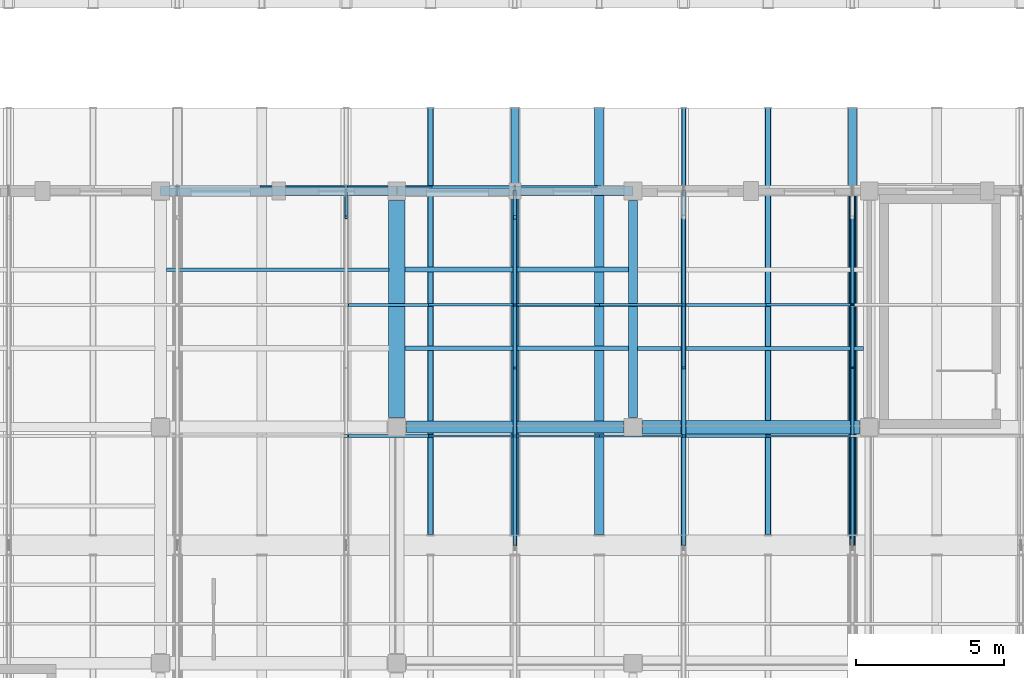
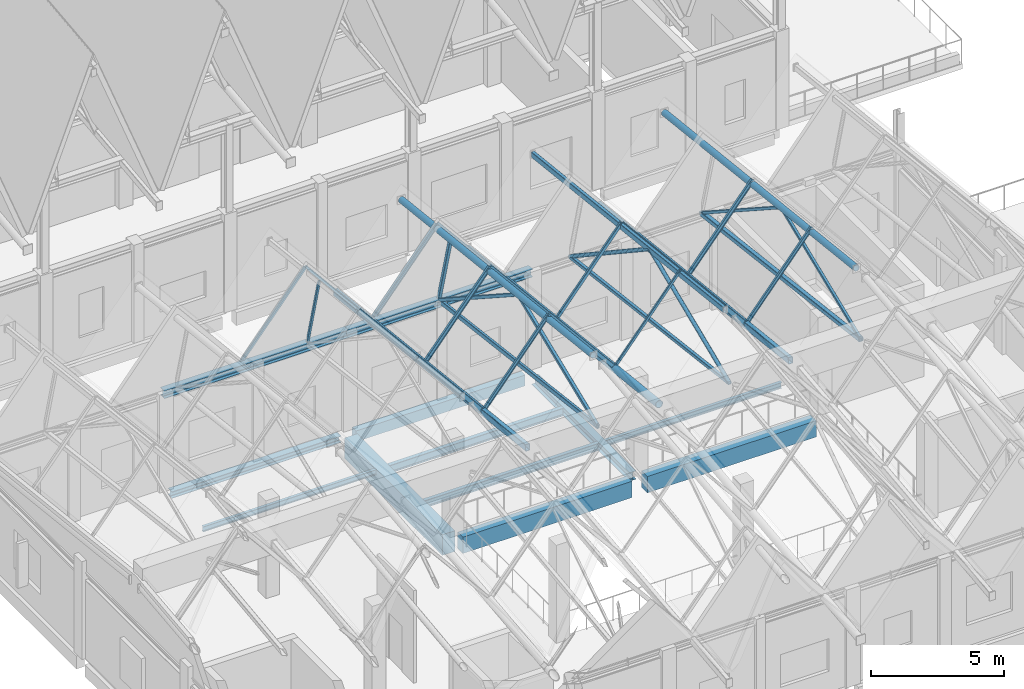
# One storey, part 12 of 77: 27 members, 18 beams.
"""IFC4 building model written with IfcOpenShell, lengths in metres."""

from ifc_helpers import new_model, si_unit, direction, frame, origin, origin_2d, place, context, subcontext, project, spatial, rectangle, hollow_rectangle, hollow_circle, i_section, extrude, material, material_profile, profile_set, type_object, element, save


model = new_model("IFC4")

# Units and contexts
model_context = context("Model", 3, precision=1e-05, world=origin(), true_north=direction((0.0, 1.0)))
body_context = subcontext(model_context, "Body", "Model", "MODEL_VIEW")
ifc_project = project(units=[si_unit("LENGTHUNIT", "METRE"), si_unit("AREAUNIT", "SQUARE_METRE"), si_unit("VOLUMEUNIT", "CUBIC_METRE"), si_unit("PLANEANGLEUNIT", "RADIAN"), si_unit("MASSUNIT", "GRAM", prefix="KILO")], contexts=[model_context])

# Site, building, storey
site_placement = place(None, origin())
site = spatial("IfcSite", under=ifc_project, at=site_placement, CompositionType="ELEMENT")
building_placement = place(site_placement, origin())
building = spatial("IfcBuilding", under=site, at=building_placement, Name="Luwemba Playhouse", CompositionType="ELEMENT")
storey_placement = place(building_placement, frame((0.0, 0.0, 9.300048828125)))
storey = spatial("IfcBuildingStorey", under=building, at=storey_placement, Name="L02", CompositionType="ELEMENT", Elevation=9.300048828125)

# Beams
ifc_material_1 = material(Name="Concrete C40/50", Category="concrete")
ifc_material_profile_1 = material_profile(ifc_material_1, rectangle(XDim=0.39990234375, YDim=0.75, at=origin_2d()))
ifc_profile_set_1 = profile_set([ifc_material_profile_1], Name="Concrete C40/50")
beam_type_1 = type_object("IfcBeamType", Name="BM-RB03", PredefinedType="BEAM", material=ifc_profile_set_1)
beam_1_placement = place(storey_placement, frame((20.324951171875, 19.0, -0.625), z_axis=(1.0, 0.0, 0.0), x_axis=(0.0, 1.0, 0.0)))
element("IfcBeam", 1, at=beam_1_placement, inside=storey, type_object=beam_type_1, Name="L02 grid girder 0771", PredefinedType="BEAM", context=body_context, shape_type="SweptSolid", body=[
    extrude(rectangle(XDim=0.39990234375, YDim=0.75, at=origin_2d()), origin(), (0.0, 0.0, 1.0), 7.35009765625),
])
ifc_material_profile_2 = material_profile(ifc_material_1, rectangle(XDim=0.449951171875, YDim=0.75, at=origin_2d()))
ifc_profile_set_2 = profile_set([ifc_material_profile_2], Name="Concrete C40/50")
beam_type_2 = type_object("IfcBeamType", Name="BM-RB04", PredefinedType="BEAM", material=ifc_profile_set_2)
beam_2_placement = place(storey_placement, frame((28.324951171875, 19.0, -0.625), z_axis=(1.0, 0.0, 0.0), x_axis=(0.0, 1.0, 0.0)))
element("IfcBeam", 2, at=beam_2_placement, inside=storey, type_object=beam_type_2, Name="L02 grid girder 0772", PredefinedType="BEAM", context=body_context, shape_type="SweptSolid", body=[
    extrude(rectangle(XDim=0.449951171875, YDim=0.75, at=origin_2d()), origin(), (0.0, 0.0, 1.0), 7.35009765625),
])
ifc_material_profile_3 = material_profile(ifc_material_1, rectangle(XDim=0.550048828125, YDim=0.949951171875, at=origin_2d()))
ifc_profile_set_3 = profile_set([ifc_material_profile_3], Name="Concrete C40/50")
beam_type_3 = type_object("IfcBeamType", Name="BM-RB08", PredefinedType="BEAM", material=ifc_profile_set_3)
beam_3_placement = place(storey_placement, frame((20.0, 19.324951171875, -0.72509765625), z_axis=(0.0, 1.0, 0.0), x_axis=(-1.0, 0.0, 0.0)))
element("IfcBeam", 3, at=beam_3_placement, inside=storey, type_object=beam_type_3, Name="L02 transverse girder 0787", PredefinedType="BEAM", context=body_context, shape_type="SweptSolid", body=[
    extrude(rectangle(XDim=0.550048828125, YDim=0.949951171875, at=origin_2d()), origin(), (0.0, 0.0, 1.0), 7.35009765625),
])
ifc_material_2 = material(Name="Steel S355", Category="steel")
ifc_material_profile_4 = material_profile(ifc_material_2, hollow_rectangle(XDim=0.14990234375, YDim=0.25, WallThickness=0.010009765625, InnerFilletRadius=0.014892578125, OuterFilletRadius=0.02490234375, at=origin_2d()))
ifc_profile_set_4 = profile_set([ifc_material_profile_4], Name="Steel S355")
beam_type_4 = type_object("IfcBeamType", Name="BM-RTG1", PredefinedType="USERDEFINED", material=ifc_profile_set_4)
beam_4_placement = place(storey_placement, frame((29.71435546875, 15.35009765625, 9.011962890625), z_axis=(0.0, 0.993769566516, -0.111454244725), x_axis=(-1.0, 0.0, 0.0)))
element("IfcBeam", 4, at=beam_4_placement, inside=storey, type_object=beam_type_4, Name="ROOF TRUSS ridge girder 0280", ObjectType="ROOF TRUSS", PredefinedType="USERDEFINED", context=body_context, shape_type="SweptSolid", body=[
    extrude(hollow_rectangle(XDim=0.14990234375, YDim=0.25, WallThickness=0.010009765625, InnerFilletRadius=0.014892578125, OuterFilletRadius=0.02490234375, at=origin_2d()), origin(), (0.0, 0.0, 1.0), 14.54052734375),
])
ifc_material_profile_5 = material_profile(ifc_material_2, hollow_rectangle(XDim=0.199951171875, YDim=0.300048828125, WallThickness=0.012451171875, InnerFilletRadius=0.018798828125, OuterFilletRadius=0.03125, at=origin_2d()))
ifc_profile_set_5 = profile_set([ifc_material_profile_5], Name="Steel S355")
beam_type_5 = type_object("IfcBeamType", Name="BM-RTG2", PredefinedType="USERDEFINED", material=ifc_profile_set_5)
for number, where, z_axis, x_axis, name in (
    (5, (21.142822265625, 15.35009765625, 5.68212890625), (0.0, 0.993767706686, -0.111470826443), (-1.0, 0.0, 0.0), "ROOF TRUSS valley girder 0274"),
    (6, (32.5712890625, 15.35009765625, 5.68212890625), (0.0, 0.993767706686, -0.111470826443), (-1.0, 0.0, 0.0), "ROOF TRUSS valley girder 0282"),
):
    element("IfcBeam", number, at=place(storey_placement, frame(where, z_axis=z_axis, x_axis=x_axis)), inside=storey, type_object=beam_type_5, Name=name, ObjectType="ROOF TRUSS", PredefinedType="USERDEFINED", context=body_context, shape_type="SweptSolid", body=[
        extrude(hollow_rectangle(XDim=0.199951171875, YDim=0.300048828125, WallThickness=0.012451171875, InnerFilletRadius=0.018798828125, OuterFilletRadius=0.03125, at=origin_2d()), origin(), (0.0, 0.0, 1.0), 14.54052734375),
    ])
ifc_material_profile_6 = material_profile(ifc_material_2, hollow_circle(Radius=0.136474609375, WallThickness=0.012451171875, at=origin_2d()))
ifc_profile_set_6 = profile_set([ifc_material_profile_6], Name="Steel S355")
beam_type_6 = type_object("IfcBeamType", Name="BM-RTG3", PredefinedType="USERDEFINED", material=ifc_profile_set_6)
for number, where, z_axis, x_axis, name in (
    (7, (24.0, 15.35009765625, 8.92626953125), (0.0, 0.993767706686, -0.111470826443), (-1.0, 0.0, 0.0), "ROOF TRUSS ridge girder 0276"),
    (8, (35.4287109375, 15.35009765625, 8.92626953125), (0.0, 0.993767706686, -0.111470826443), (-1.0, 0.0, 0.0), "ROOF TRUSS ridge girder 0284"),
):
    element("IfcBeam", number, at=place(storey_placement, frame(where, z_axis=z_axis, x_axis=x_axis)), inside=storey, type_object=beam_type_6, Name=name, ObjectType="ROOF TRUSS", PredefinedType="USERDEFINED", context=body_context, shape_type="SweptSolid", body=[
        extrude(hollow_circle(Radius=0.136474609375, WallThickness=0.012451171875, at=origin_2d()), origin(), (0.0, 0.0, 1.0), 14.54052734375),
    ])
ifc_material_profile_7 = material_profile(ifc_material_2, hollow_circle(Radius=0.161865234375, WallThickness=0.01611328125, at=origin_2d()))
ifc_profile_set_7 = profile_set([ifc_material_profile_7], Name="Steel S355")
beam_type_7 = type_object("IfcBeamType", Name="BM-RTG4", PredefinedType="USERDEFINED", material=ifc_profile_set_7)
beam_5_placement = place(storey_placement, frame((26.857177734375, 15.35009765625, 5.670166015625), z_axis=(0.0, 0.993767706686, -0.111470826443), x_axis=(-1.0, 0.0, 0.0)))
element("IfcBeam", 9, at=beam_5_placement, inside=storey, type_object=beam_type_7, Name="ROOF TRUSS valley girder 0278", ObjectType="ROOF TRUSS", PredefinedType="USERDEFINED", context=body_context, shape_type="SweptSolid", body=[
    extrude(hollow_circle(Radius=0.161865234375, WallThickness=0.01611328125, at=origin_2d()), origin(), (0.0, 0.0, 1.0), 14.54052734375),
])
ifc_material_profile_8 = material_profile(ifc_material_2, i_section(OverallWidth=0.300048828125, OverallDepth=0.389892578125, WebThickness=0.010986328125, FlangeThickness=0.01904296875, FilletRadius=0.027099609375, at=origin_2d()))
ifc_profile_set_8 = profile_set([ifc_material_profile_8], Name="Steel S355")
beam_type_8 = type_object("IfcBeamType", Name="BM-SB05", PredefinedType="BEAM", material=ifc_profile_set_8)
beam_6_placement = place(storey_placement, frame((28.0, 19.324951171875, -0.445068359375), z_axis=(0.0, 1.0, 0.0), x_axis=(-1.0, 0.0, 0.0)))
element("IfcBeam", 10, at=beam_6_placement, inside=storey, type_object=beam_type_8, Name="L02 transverse girder 0789", PredefinedType="BEAM", context=body_context, shape_type="SweptSolid", body=[
    extrude(i_section(OverallWidth=0.300048828125, OverallDepth=0.389892578125, WebThickness=0.010986328125, FlangeThickness=0.01904296875, FilletRadius=0.027099609375, at=origin_2d()), origin(), (0.0, 0.0, 1.0), 7.35009765625),
])
ifc_material_profile_9 = material_profile(ifc_material_2, i_section(OverallWidth=0.300048828125, OverallDepth=0.360107421875, WebThickness=0.012451171875, FlangeThickness=0.0224609375, FilletRadius=0.027099609375, at=origin_2d()))
ifc_profile_set_9 = profile_set([ifc_material_profile_9], Name="Steel S355")
beam_type_9 = type_object("IfcBeamType", Name="BM-SB09", PredefinedType="BEAM", material=ifc_profile_set_9)
for number, where, z_axis, x_axis, name in (
    (11, (12.0, 27.0, 4.320068359375), (1.0, 0.0, 0.0), (0.0, 1.0, 0.0), "RF-V5W eave ring beam 0248"),
    (12, (20.0, 27.0, 4.320068359375), (1.0, 0.0, 0.0), (0.0, 1.0, 0.0), "RF-V5W eave ring beam 0249"),
):
    element("IfcBeam", number, at=place(storey_placement, frame(where, z_axis=z_axis, x_axis=x_axis)), inside=storey, type_object=beam_type_9, Name=name, PredefinedType="BEAM", context=body_context, shape_type="SweptSolid", body=[
        extrude(i_section(OverallWidth=0.300048828125, OverallDepth=0.360107421875, WebThickness=0.012451171875, FlangeThickness=0.0224609375, FilletRadius=0.027099609375, at=origin_2d()), origin(), (0.0, 0.0, 1.0), 8.0),
    ])
ifc_material_profile_10 = material_profile(ifc_material_2, i_section(OverallWidth=0.1201171875, OverallDepth=0.239990234375, WebThickness=0.006103515625, FlangeThickness=0.009765625, FilletRadius=0.014892578125, at=origin_2d()))
ifc_profile_set_10 = profile_set([ifc_material_profile_10], Name="Steel S355")
beam_type_10 = type_object("IfcBeamType", Name="BM-SJ03", PredefinedType="JOIST", material=ifc_profile_set_10)
beam_7_placement = place(storey_placement, frame((12.196044921875, 24.333251953125, -0.3701171875), z_axis=(1.0, 0.0, 0.0), x_axis=(0.0, 1.0, 0.0)))
element("IfcBeam", 13, at=beam_7_placement, inside=storey, type_object=beam_type_10, Name="L02 composite floor joist 0453", PredefinedType="JOIST", context=body_context, shape_type="SweptSolid", body=[
    extrude(i_section(OverallWidth=0.1201171875, OverallDepth=0.239990234375, WebThickness=0.006103515625, FlangeThickness=0.009765625, FilletRadius=0.014892578125, at=origin_2d()), origin(), (0.0, 0.0, 1.0), 7.532958984375),
])
ifc_material_profile_11 = material_profile(ifc_material_2, i_section(OverallWidth=0.135009765625, OverallDepth=0.27001953125, WebThickness=0.006591796875, FlangeThickness=0.01025390625, FilletRadius=0.014892578125, at=origin_2d()))
ifc_profile_set_11 = profile_set([ifc_material_profile_11], Name="Steel S355")
beam_type_11 = type_object("IfcBeamType", Name="BM-SJ04", PredefinedType="JOIST", material=ifc_profile_set_11)
beam_8_placement = place(storey_placement, frame((28.14599609375, 21.666748046875, -0.385009765625), z_axis=(1.0, 0.0, 0.0), x_axis=(0.0, 1.0, 0.0)))
element("IfcBeam", 14, at=beam_8_placement, inside=storey, type_object=beam_type_11, Name="L02 composite floor joist 0460", PredefinedType="JOIST", context=body_context, shape_type="SweptSolid", body=[
    extrude(i_section(OverallWidth=0.135009765625, OverallDepth=0.27001953125, WebThickness=0.006591796875, FlangeThickness=0.01025390625, FilletRadius=0.014892578125, at=origin_2d()), origin(), (0.0, 0.0, 1.0), 7.657958984375),
])
ifc_material_profile_12 = material_profile(ifc_material_2, i_section(OverallWidth=0.159912109375, OverallDepth=0.330078125, WebThickness=0.007568359375, FlangeThickness=0.011474609375, FilletRadius=0.01806640625, at=origin_2d()))
ifc_profile_set_12 = profile_set([ifc_material_profile_12], Name="Steel S355")
beam_type_12 = type_object("IfcBeamType", Name="BM-SJ06", PredefinedType="JOIST", material=ifc_profile_set_12)
beam_9_placement = place(storey_placement, frame((20.27099609375, 21.666748046875, -0.4150390625), z_axis=(1.0, 0.0, 0.0), x_axis=(0.0, 1.0, 0.0)))
element("IfcBeam", 15, at=beam_9_placement, inside=storey, type_object=beam_type_12, Name="L02 composite floor joist 0456", PredefinedType="JOIST", context=body_context, shape_type="SweptSolid", body=[
    extrude(i_section(OverallWidth=0.159912109375, OverallDepth=0.330078125, WebThickness=0.007568359375, FlangeThickness=0.011474609375, FilletRadius=0.01806640625, at=origin_2d()), origin(), (0.0, 0.0, 1.0), 7.5830078125),
])
ifc_material_profile_13 = material_profile(ifc_material_2, i_section(OverallWidth=0.169921875, OverallDepth=0.360107421875, WebThickness=0.008056640625, FlangeThickness=0.0126953125, FilletRadius=0.01806640625, at=origin_2d()))
ifc_profile_set_13 = profile_set([ifc_material_profile_13], Name="Steel S355")
beam_type_13 = type_object("IfcBeamType", Name="BM-SJ07", PredefinedType="JOIST", material=ifc_profile_set_13)
beam_10_placement = place(storey_placement, frame((20.27099609375, 24.333251953125, -0.429931640625), z_axis=(1.0, 0.0, 0.0), x_axis=(0.0, 1.0, 0.0)))
element("IfcBeam", 16, at=beam_10_placement, inside=storey, type_object=beam_type_13, Name="L02 composite floor joist 0457", PredefinedType="JOIST", context=body_context, shape_type="SweptSolid", body=[
    extrude(i_section(OverallWidth=0.169921875, OverallDepth=0.360107421875, WebThickness=0.008056640625, FlangeThickness=0.0126953125, FilletRadius=0.01806640625, at=origin_2d()), origin(), (0.0, 0.0, 1.0), 7.5830078125),
])
ifc_material_profile_14 = material_profile(ifc_material_1, rectangle(XDim=0.300048828125, YDim=0.5, at=origin_2d()))
ifc_profile_set_14 = profile_set([ifc_material_profile_14], Name="Concrete C40/50")
beam_type_14 = type_object("IfcBeamType", Name="BM-SP1", PredefinedType="SPANDREL", material=ifc_profile_set_14)
beam_11_placement = place(storey_placement, frame((20.324951171875, 27.0, -0.5), z_axis=(1.0, 0.0, 0.0), x_axis=(0.0, 1.0, 0.0)))
element("IfcBeam", 17, at=beam_11_placement, inside=storey, type_object=beam_type_14, Name="L02 grid girder 0776", PredefinedType="SPANDREL", context=body_context, shape_type="SweptSolid", body=[
    extrude(rectangle(XDim=0.300048828125, YDim=0.5, at=origin_2d()), origin(), (0.0, 0.0, 1.0), 7.35009765625),
])
ifc_material_profile_15 = material_profile(ifc_material_2, i_section(OverallWidth=0.300048828125, OverallDepth=0.300048828125, WebThickness=0.010986328125, FlangeThickness=0.01904296875, FilletRadius=0.027099609375, at=origin_2d()))
ifc_profile_set_15 = profile_set([ifc_material_profile_15], Name="Steel S355")
beam_type_15 = type_object("IfcBeamType", Name="BM-SSP1", PredefinedType="SPANDREL", material=ifc_profile_set_15)
beam_12_placement = place(storey_placement, frame((12.324951171875, 27.0, -0.400146484375), z_axis=(1.0, 0.0, 0.0), x_axis=(0.0, 1.0, 0.0)))
element("IfcBeam", 18, at=beam_12_placement, inside=storey, type_object=beam_type_15, Name="L02 grid girder 0775", PredefinedType="SPANDREL", context=body_context, shape_type="SweptSolid", body=[
    extrude(i_section(OverallWidth=0.300048828125, OverallDepth=0.300048828125, WebThickness=0.010986328125, FlangeThickness=0.01904296875, FilletRadius=0.027099609375, at=origin_2d()), origin(), (0.0, 0.0, 1.0), 7.35009765625),
])

# Members
ifc_material_profile_16 = material_profile(ifc_material_2, hollow_circle(Radius=0.084228515625, WallThickness=0.008056640625, at=origin_2d()))
ifc_profile_set_16 = profile_set([ifc_material_profile_16], Name="Steel S355")
member_type_1 = type_object("IfcMemberType", Name="MEM-MB02", PredefinedType="BRACE", material=ifc_profile_set_16)
member_1_placement = place(storey_placement, frame((29.71435546875, 15.0, 5.865966796875), z_axis=(0.0, 0.922395901699, 0.38624577736), x_axis=(-1.0, 0.0, 0.0)))
element("IfcMember", 19, at=member_1_placement, inside=storey, type_object=member_type_1, Name="ROOF TRUSS web diagonal 0251", PredefinedType="BRACE", context=body_context, shape_type="SweptSolid", body=[
    extrude(hollow_circle(Radius=0.084228515625, WallThickness=0.008056640625, at=origin_2d()), origin(), (0.0, 0.0, 1.0), 6.5048828125),
])
member_2_placement = place(storey_placement, frame((29.71435546875, 27.0, 4.39990234375), z_axis=(0.0, -0.833425084447, 0.552632453457), x_axis=(1.0, 0.0, 0.0)))
element("IfcMember", 20, at=member_2_placement, inside=storey, type_object=member_type_1, Name="ROOF TRUSS web diagonal 0252", PredefinedType="BRACE", context=body_context, shape_type="SweptSolid", body=[
    extrude(hollow_circle(Radius=0.084228515625, WallThickness=0.008056640625, at=origin_2d()), origin(), (0.0, 0.0, 1.0), 7.19921875),
])
ifc_material_profile_17 = material_profile(ifc_material_2, hollow_rectangle(XDim=0.10009765625, YDim=0.10009765625, WallThickness=0.00634765625, InnerFilletRadius=0.009521484375, OuterFilletRadius=0.015869140625, at=origin_2d()))
ifc_profile_set_17 = profile_set([ifc_material_profile_17], Name="Steel S355")
member_type_2 = type_object("IfcMemberType", Name="MEM-MB05", PredefinedType="BRACE", material=ifc_profile_set_17)
member_3_placement = place(storey_placement, frame((18.28564453125, 27.0, 4.39990234375), z_axis=(0.0, -0.255410676761, 0.96683265677), x_axis=(1.0, 0.0, 0.0)))
element("IfcMember", 21, at=member_3_placement, inside=storey, type_object=member_type_2, Name="ROOF TRUSS eave knee strut 0063", PredefinedType="BRACE", context=body_context, shape_type="SweptSolid", body=[
    extrude(hollow_rectangle(XDim=0.10009765625, YDim=0.10009765625, WallThickness=0.00634765625, InnerFilletRadius=0.009521484375, OuterFilletRadius=0.015869140625, at=origin_2d()), origin(), (0.0, 0.0, 1.0), 3.5234375),
])
ifc_material_profile_18 = material_profile(ifc_material_2, hollow_rectangle(XDim=0.1201171875, YDim=0.1201171875, WallThickness=0.008056640625, InnerFilletRadius=0.011962890625, OuterFilletRadius=0.02001953125, at=origin_2d()))
ifc_profile_set_18 = profile_set([ifc_material_profile_18], Name="Steel S355")
member_type_3 = type_object("IfcMemberType", Name="MEM-MB06", PredefinedType="BRACE", material=ifc_profile_set_18)
member_4_placement = place(storey_placement, frame((35.4287109375, 15.0, 5.865966796875), z_axis=(0.0, 0.927057348397, 0.374919555083), x_axis=(-1.0, 0.0, 0.0)))
element("IfcMember", 22, at=member_4_placement, inside=storey, type_object=member_type_3, Name="ROOF TRUSS web diagonal 0257", PredefinedType="BRACE", context=body_context, shape_type="SweptSolid", body=[
    extrude(hollow_rectangle(XDim=0.1201171875, YDim=0.1201171875, WallThickness=0.008056640625, InnerFilletRadius=0.011962890625, OuterFilletRadius=0.02001953125, at=origin_2d()), origin(), (0.0, 0.0, 1.0), 6.47216796875),
])
member_5_placement = place(storey_placement, frame((35.4287109375, 27.0, 4.39990234375), z_axis=(0.0, -0.838917478368, 0.544258637496), x_axis=(1.0, 0.0, 0.0)))
element("IfcMember", 23, at=member_5_placement, inside=storey, type_object=member_type_3, Name="ROOF TRUSS web diagonal 0258", PredefinedType="BRACE", context=body_context, shape_type="SweptSolid", body=[
    extrude(hollow_rectangle(XDim=0.1201171875, YDim=0.1201171875, WallThickness=0.008056640625, InnerFilletRadius=0.011962890625, OuterFilletRadius=0.02001953125, at=origin_2d()), origin(), (0.0, 0.0, 1.0), 7.152099609375),
])
ifc_material_profile_19 = material_profile(ifc_material_2, hollow_rectangle(XDim=0.139892578125, YDim=0.139892578125, WallThickness=0.008056640625, InnerFilletRadius=0.011962890625, OuterFilletRadius=0.02001953125, at=origin_2d()))
ifc_profile_set_19 = profile_set([ifc_material_profile_19], Name="Steel S355")
member_type_4 = type_object("IfcMemberType", Name="MEM-MB07", PredefinedType="BRACE", material=ifc_profile_set_19)
member_6_placement = place(storey_placement, frame((24.0, 15.0, 5.865966796875), z_axis=(0.0, 0.927057348397, 0.374919555083), x_axis=(-1.0, 0.0, 0.0)))
element("IfcMember", 24, at=member_6_placement, inside=storey, type_object=member_type_4, Name="ROOF TRUSS web diagonal 0245", PredefinedType="BRACE", context=body_context, shape_type="SweptSolid", body=[
    extrude(hollow_rectangle(XDim=0.139892578125, YDim=0.139892578125, WallThickness=0.008056640625, InnerFilletRadius=0.011962890625, OuterFilletRadius=0.02001953125, at=origin_2d()), origin(), (0.0, 0.0, 1.0), 6.47216796875),
])
member_7_placement = place(storey_placement, frame((24.0, 27.0, 4.39990234375), z_axis=(0.0, -0.838917478368, 0.544258637496), x_axis=(1.0, 0.0, 0.0)))
element("IfcMember", 25, at=member_7_placement, inside=storey, type_object=member_type_4, Name="ROOF TRUSS web diagonal 0246", PredefinedType="BRACE", context=body_context, shape_type="SweptSolid", body=[
    extrude(hollow_rectangle(XDim=0.139892578125, YDim=0.139892578125, WallThickness=0.008056640625, InnerFilletRadius=0.011962890625, OuterFilletRadius=0.02001953125, at=origin_2d()), origin(), (0.0, 0.0, 1.0), 7.152099609375),
])
member_8_placement = place(storey_placement, frame((24.0, 27.0, 4.39990234375), z_axis=(0.0, -0.261573871776, 0.96518345904), x_axis=(1.0, 0.0, 0.0)))
element("IfcMember", 26, at=member_8_placement, inside=storey, type_object=member_type_4, Name="ROOF TRUSS eave knee strut 0065", PredefinedType="BRACE", context=body_context, shape_type="SweptSolid", body=[
    extrude(hollow_rectangle(XDim=0.139892578125, YDim=0.139892578125, WallThickness=0.008056640625, InnerFilletRadius=0.011962890625, OuterFilletRadius=0.02001953125, at=origin_2d()), origin(), (0.0, 0.0, 1.0), 3.4404296875),
])
ifc_material_profile_20 = material_profile(ifc_material_2, hollow_rectangle(XDim=0.14990234375, YDim=0.14990234375, WallThickness=0.010009765625, InnerFilletRadius=0.014892578125, OuterFilletRadius=0.02490234375, at=origin_2d()))
ifc_profile_set_20 = profile_set([ifc_material_profile_20], Name="Steel S355")
member_type_5 = type_object("IfcMemberType", Name="MEM-MC02", PredefinedType="CHORD", material=ifc_profile_set_20)
member_9_placement = place(storey_placement, frame((29.71435546875, 15.0, 5.865966796875), z_axis=(0.0, 0.99261951546, -0.121270348924), x_axis=(-1.0, 0.0, 0.0)))
element("IfcMember", 27, at=member_9_placement, inside=storey, type_object=member_type_5, Name="ROOF TRUSS north bottom chord 0248", PredefinedType="CHORD", context=body_context, shape_type="SweptSolid", body=[
    extrude(hollow_rectangle(XDim=0.14990234375, YDim=0.14990234375, WallThickness=0.010009765625, InnerFilletRadius=0.014892578125, OuterFilletRadius=0.02490234375, at=origin_2d()), origin(), (0.0, 0.0, 1.0), 12.089111328125),
])
ifc_material_profile_21 = material_profile(ifc_material_2, hollow_rectangle(XDim=0.199951171875, YDim=0.199951171875, WallThickness=0.012451171875, InnerFilletRadius=0.018798828125, OuterFilletRadius=0.03125, at=origin_2d()))
ifc_profile_set_21 = profile_set([ifc_material_profile_21], Name="Steel S355")
member_type_6 = type_object("IfcMemberType", Name="MEM-MC04", PredefinedType="CHORD", material=ifc_profile_set_21)
member_10_placement = place(storey_placement, frame((35.4287109375, 15.0, 5.865966796875), z_axis=(0.0, 0.99261951546, -0.121270348924), x_axis=(-1.0, 0.0, 0.0)))
element("IfcMember", 28, at=member_10_placement, inside=storey, type_object=member_type_6, Name="ROOF TRUSS north bottom chord 0254", PredefinedType="CHORD", context=body_context, shape_type="SweptSolid", body=[
    extrude(hollow_rectangle(XDim=0.199951171875, YDim=0.199951171875, WallThickness=0.012451171875, InnerFilletRadius=0.018798828125, OuterFilletRadius=0.03125, at=origin_2d()), origin(), (0.0, 0.0, 1.0), 12.089111328125),
])
ifc_material_profile_22 = material_profile(ifc_material_2, hollow_rectangle(XDim=0.1201171875, YDim=0.199951171875, WallThickness=0.010009765625, InnerFilletRadius=0.014892578125, OuterFilletRadius=0.02490234375, at=origin_2d()))
ifc_profile_set_22 = profile_set([ifc_material_profile_22], Name="Steel S355")
member_type_7 = type_object("IfcMemberType", Name="MEM-MC05", PredefinedType="CHORD", material=ifc_profile_set_22)
member_11_placement = place(storey_placement, frame((24.0, 15.0, 5.865966796875), z_axis=(0.0, 0.99261951546, -0.121270348924), x_axis=(-1.0, 0.0, 0.0)))
element("IfcMember", 29, at=member_11_placement, inside=storey, type_object=member_type_7, Name="ROOF TRUSS north bottom chord 0242", PredefinedType="CHORD", context=body_context, shape_type="SweptSolid", body=[
    extrude(hollow_rectangle(XDim=0.1201171875, YDim=0.199951171875, WallThickness=0.010009765625, InnerFilletRadius=0.014892578125, OuterFilletRadius=0.02490234375, at=origin_2d()), origin(), (0.0, 0.0, 1.0), 12.089111328125),
])
ifc_material_profile_23 = material_profile(ifc_material_2, hollow_rectangle(XDim=0.080078125, YDim=0.1201171875, WallThickness=0.00634765625, InnerFilletRadius=0.009521484375, OuterFilletRadius=0.015869140625, at=origin_2d()))
ifc_profile_set_23 = profile_set([ifc_material_profile_23], Name="Steel S355")
member_type_8 = type_object("IfcMemberType", Name="MEM-MP01", PredefinedType="PURLIN", material=ifc_profile_set_23)
for number, where, z_axis, x_axis, name in (
    (30, (18.28564453125, 27.135986328125, 7.86083984375), (0.637383781398, 0.0, -0.770546504249), (0.0, 1.0, 0.0), "Pleated roof purlin 0480"),
    (31, (26.857177734375, 18.699951171875, 5.35302734375), (0.637383781398, 0.0, 0.770546504249), (0.0, 1.0, 0.0), "Pleated roof purlin 0496"),
):
    element("IfcMember", number, at=place(storey_placement, frame(where, z_axis=z_axis, x_axis=x_axis)), inside=storey, type_object=member_type_8, Name=name, PredefinedType="PURLIN", context=body_context, shape_type="SweptSolid", body=[
        extrude(hollow_rectangle(XDim=0.080078125, YDim=0.1201171875, WallThickness=0.00634765625, InnerFilletRadius=0.009521484375, OuterFilletRadius=0.015869140625, at=origin_2d()), origin(), (0.0, 0.0, 1.0), 4.482666015625),
    ])
ifc_material_profile_24 = material_profile(ifc_material_2, hollow_rectangle(XDim=0.10009765625, YDim=0.14990234375, WallThickness=0.008056640625, InnerFilletRadius=0.011962890625, OuterFilletRadius=0.02001953125, at=origin_2d()))
ifc_profile_set_24 = profile_set([ifc_material_profile_24], Name="Steel S355")
member_type_9 = type_object("IfcMemberType", Name="MEM-MP02", PredefinedType="PURLIN", material=ifc_profile_set_24)
member_12_placement = place(storey_placement, frame((26.857177734375, 23.139892578125, 4.827880859375), z_axis=(0.637383781398, 0.0, 0.770546504249), x_axis=(0.0, 1.0, 0.0)))
element("IfcMember", 32, at=member_12_placement, inside=storey, type_object=member_type_9, Name="Pleated roof purlin 0497", PredefinedType="PURLIN", context=body_context, shape_type="SweptSolid", body=[
    extrude(hollow_rectangle(XDim=0.10009765625, YDim=0.14990234375, WallThickness=0.008056640625, InnerFilletRadius=0.011962890625, OuterFilletRadius=0.02001953125, at=origin_2d()), origin(), (0.0, 0.0, 1.0), 4.482666015625),
])
ifc_material_profile_25 = material_profile(ifc_material_2, hollow_rectangle(XDim=0.080078125, YDim=0.159912109375, WallThickness=0.00634765625, InnerFilletRadius=0.009521484375, OuterFilletRadius=0.015869140625, at=origin_2d()))
ifc_profile_set_25 = profile_set([ifc_material_profile_25], Name="Steel S355")
member_type_10 = type_object("IfcMemberType", Name="MEM-MP03", PredefinedType="PURLIN", material=ifc_profile_set_25)
for number, where, z_axis, x_axis, name in (
    (33, (15.4287109375, 27.135986328125, 4.38671875), (0.637351442582, 0.0, 0.77057325326), (0.0, 1.0, 0.0), "Pleated roof purlin 0474"),
    (34, (24.0, 18.699951171875, 8.786865234375), (0.637410530898, 0.0, -0.770524376708), (0.0, 1.0, 0.0), "Pleated roof purlin 0490"),
):
    element("IfcMember", number, at=place(storey_placement, frame(where, z_axis=z_axis, x_axis=x_axis)), inside=storey, type_object=member_type_10, Name=name, PredefinedType="PURLIN", context=body_context, shape_type="SweptSolid", body=[
        extrude(hollow_rectangle(XDim=0.080078125, YDim=0.159912109375, WallThickness=0.00634765625, InnerFilletRadius=0.009521484375, OuterFilletRadius=0.015869140625, at=origin_2d()), origin(), (0.0, 0.0, 1.0), 4.482421875),
    ])
ifc_material_profile_26 = material_profile(ifc_material_2, hollow_rectangle(XDim=0.10009765625, YDim=0.179931640625, WallThickness=0.008056640625, InnerFilletRadius=0.011962890625, OuterFilletRadius=0.02001953125, at=origin_2d()))
ifc_profile_set_26 = profile_set([ifc_material_profile_26], Name="Steel S355")
member_type_11 = type_object("IfcMemberType", Name="MEM-MP04", PredefinedType="PURLIN", material=ifc_profile_set_26)
member_13_placement = place(storey_placement, frame((24.0, 23.139892578125, 8.266845703125), z_axis=(0.637410530898, 0.0, -0.770524376708), x_axis=(0.0, 1.0, 0.0)))
element("IfcMember", 35, at=member_13_placement, inside=storey, type_object=member_type_11, Name="Pleated roof purlin 0491", PredefinedType="PURLIN", context=body_context, shape_type="SweptSolid", body=[
    extrude(hollow_rectangle(XDim=0.10009765625, YDim=0.179931640625, WallThickness=0.008056640625, InnerFilletRadius=0.011962890625, OuterFilletRadius=0.02001953125, at=origin_2d()), origin(), (0.0, 0.0, 1.0), 4.482421875),
])
ifc_material_profile_27 = material_profile(ifc_material_2, i_section(OverallWidth=0.08203125, OverallDepth=0.159912109375, WebThickness=0.0048828125, FlangeThickness=0.00732421875, FilletRadius=0.009033203125, at=origin_2d()))
ifc_profile_set_27 = profile_set([ifc_material_profile_27], Name="Steel S355")
member_type_12 = type_object("IfcMemberType", Name="MEM-MP05", PredefinedType="PURLIN", material=ifc_profile_set_27)
for number, where, z_axis, x_axis, name in (
    (36, (21.142822265625, 18.699951171875, 5.331787109375), (0.637410530898, 0.0, 0.770524376708), (0.0, 1.0, 0.0), "Pleated roof purlin 0484"),
    (37, (24.0, 27.135986328125, 7.839599609375), (0.637410530898, 0.0, -0.770524376708), (0.0, 1.0, 0.0), "Pleated roof purlin 0492"),
):
    element("IfcMember", number, at=place(storey_placement, frame(where, z_axis=z_axis, x_axis=x_axis)), inside=storey, type_object=member_type_12, Name=name, PredefinedType="PURLIN", context=body_context, shape_type="SweptSolid", body=[
        extrude(i_section(OverallWidth=0.08203125, OverallDepth=0.159912109375, WebThickness=0.0048828125, FlangeThickness=0.00732421875, FilletRadius=0.009033203125, at=origin_2d()), origin(), (0.0, 0.0, 1.0), 4.482421875),
    ])
member_14_placement = place(storey_placement, frame((32.5712890625, 18.699951171875, 5.331787109375), z_axis=(0.637416116848, 0.0, 0.770519755738), x_axis=(0.0, 1.0, 0.0)))
element("IfcMember", 38, at=member_14_placement, inside=storey, type_object=member_type_12, Name="Pleated roof purlin 0508", PredefinedType="PURLIN", context=body_context, shape_type="SweptSolid", body=[
    extrude(i_section(OverallWidth=0.08203125, OverallDepth=0.159912109375, WebThickness=0.0048828125, FlangeThickness=0.00732421875, FilletRadius=0.009033203125, at=origin_2d()), origin(), (0.0, 0.0, 1.0), 4.48291015625),
])
ifc_material_profile_28 = material_profile(ifc_material_2, i_section(OverallWidth=0.091064453125, OverallDepth=0.179931640625, WebThickness=0.00537109375, FlangeThickness=0.008056640625, FilletRadius=0.009033203125, at=origin_2d()))
ifc_profile_set_28 = profile_set([ifc_material_profile_28], Name="Steel S355")
member_type_13 = type_object("IfcMemberType", Name="MEM-MP06", PredefinedType="PURLIN", material=ifc_profile_set_28)
member_15_placement = place(storey_placement, frame((21.142822265625, 23.139892578125, 4.818359375), z_axis=(0.637383781398, 0.0, 0.770546504249), x_axis=(0.0, 1.0, 0.0)))
element("IfcMember", 39, at=member_15_placement, inside=storey, type_object=member_type_13, Name="Pleated roof purlin 0485", PredefinedType="PURLIN", context=body_context, shape_type="SweptSolid", body=[
    extrude(i_section(OverallWidth=0.091064453125, OverallDepth=0.179931640625, WebThickness=0.00537109375, FlangeThickness=0.008056640625, FilletRadius=0.009033203125, at=origin_2d()), origin(), (0.0, 0.0, 1.0), 4.482666015625),
])
member_16_placement = place(storey_placement, frame((32.5712890625, 23.139892578125, 4.818359375), z_axis=(0.637416116848, 0.0, 0.770519755738), x_axis=(0.0, 1.0, 0.0)))
element("IfcMember", 40, at=member_16_placement, inside=storey, type_object=member_type_13, Name="Pleated roof purlin 0509", PredefinedType="PURLIN", context=body_context, shape_type="SweptSolid", body=[
    extrude(i_section(OverallWidth=0.091064453125, OverallDepth=0.179931640625, WebThickness=0.00537109375, FlangeThickness=0.008056640625, FilletRadius=0.009033203125, at=origin_2d()), origin(), (0.0, 0.0, 1.0), 4.48291015625),
])
ifc_material_profile_29 = material_profile(ifc_material_2, i_section(OverallWidth=0.10009765625, OverallDepth=0.199951171875, WebThickness=0.005615234375, FlangeThickness=0.008544921875, FilletRadius=0.011962890625, at=origin_2d()))
ifc_profile_set_29 = profile_set([ifc_material_profile_29], Name="Steel S355")
member_type_14 = type_object("IfcMemberType", Name="MEM-MP07", PredefinedType="PURLIN", material=ifc_profile_set_29)
member_17_placement = place(storey_placement, frame((18.28564453125, 18.699951171875, 8.7548828125), z_axis=(0.637383781398, 0.0, -0.770546504249), x_axis=(0.0, 1.0, 0.0)))
element("IfcMember", 41, at=member_17_placement, inside=storey, type_object=member_type_14, Name="Pleated roof purlin 0478", PredefinedType="PURLIN", context=body_context, shape_type="SweptSolid", body=[
    extrude(i_section(OverallWidth=0.10009765625, OverallDepth=0.199951171875, WebThickness=0.005615234375, FlangeThickness=0.008544921875, FilletRadius=0.011962890625, at=origin_2d()), origin(), (0.0, 0.0, 1.0), 4.482666015625),
])
for number, where, z_axis, x_axis, name in (
    (42, (21.142822265625, 27.135986328125, 4.354736328125), (0.637410530898, 0.0, 0.770524376708), (0.0, 1.0, 0.0), "Pleated roof purlin 0486"),
    (43, (29.71435546875, 18.699951171875, 8.7548828125), (0.637378192581, 0.0, -0.770551127196), (0.0, 1.0, 0.0), "Pleated roof purlin 0502"),
):
    element("IfcMember", number, at=place(storey_placement, frame(where, z_axis=z_axis, x_axis=x_axis)), inside=storey, type_object=member_type_14, Name=name, PredefinedType="PURLIN", context=body_context, shape_type="SweptSolid", body=[
        extrude(i_section(OverallWidth=0.10009765625, OverallDepth=0.199951171875, WebThickness=0.005615234375, FlangeThickness=0.008544921875, FilletRadius=0.011962890625, at=origin_2d()), origin(), (0.0, 0.0, 1.0), 4.482421875),
    ])
ifc_material_profile_30 = material_profile(ifc_material_2, i_section(OverallWidth=0.110107421875, OverallDepth=0.219970703125, WebThickness=0.005859375, FlangeThickness=0.00927734375, FilletRadius=0.011962890625, at=origin_2d()))
ifc_profile_set_30 = profile_set([ifc_material_profile_30], Name="Steel S355")
member_type_15 = type_object("IfcMemberType", Name="MEM-MP08", PredefinedType="PURLIN", material=ifc_profile_set_30)
member_18_placement = place(storey_placement, frame((18.28564453125, 23.139892578125, 8.240966796875), z_axis=(0.637383781398, 0.0, -0.770546504249), x_axis=(0.0, 1.0, 0.0)))
element("IfcMember", 44, at=member_18_placement, inside=storey, type_object=member_type_15, Name="Pleated roof purlin 0479", PredefinedType="PURLIN", context=body_context, shape_type="SweptSolid", body=[
    extrude(i_section(OverallWidth=0.110107421875, OverallDepth=0.219970703125, WebThickness=0.005859375, FlangeThickness=0.00927734375, FilletRadius=0.011962890625, at=origin_2d()), origin(), (0.0, 0.0, 1.0), 4.482666015625),
])
member_19_placement = place(storey_placement, frame((29.71435546875, 23.139892578125, 8.240966796875), z_axis=(0.637351442582, 0.0, -0.77057325326), x_axis=(0.0, 1.0, 0.0)))
element("IfcMember", 45, at=member_19_placement, inside=storey, type_object=member_type_15, Name="Pleated roof purlin 0503", PredefinedType="PURLIN", context=body_context, shape_type="SweptSolid", body=[
    extrude(i_section(OverallWidth=0.110107421875, OverallDepth=0.219970703125, WebThickness=0.005859375, FlangeThickness=0.00927734375, FilletRadius=0.011962890625, at=origin_2d()), origin(), (0.0, 0.0, 1.0), 4.482421875),
])

save(model, "model.ifc")
